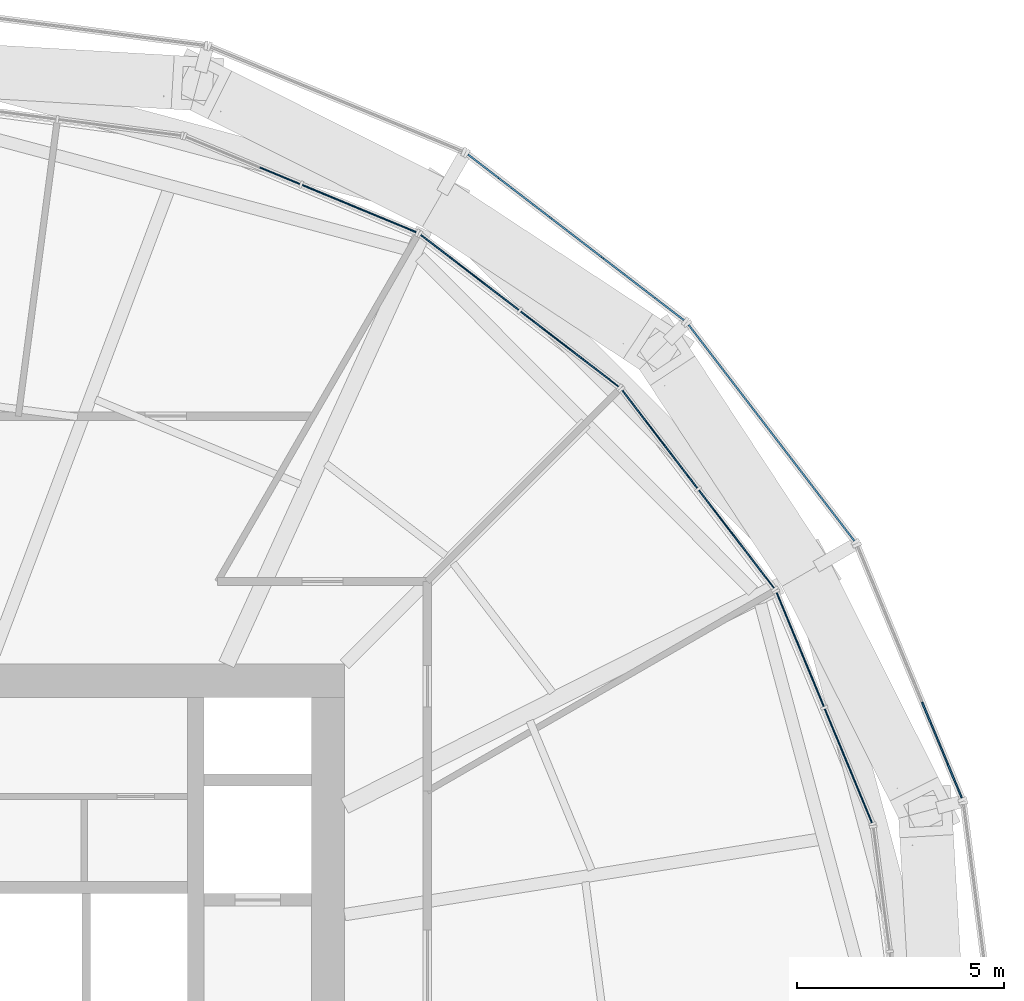
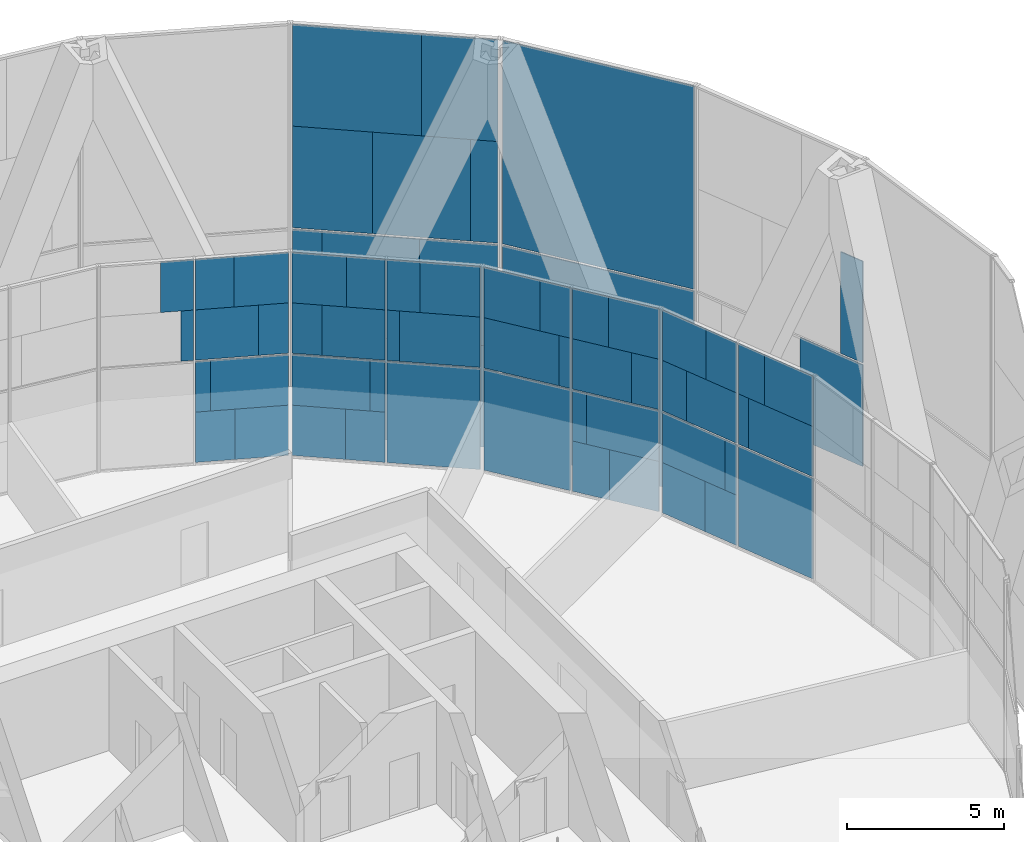
# One storey, part 18 of 22: 63 plates, 7 elements without a shape of their own.
"""IFC4 building model written with IfcOpenShell, lengths in metres."""

from ifc_helpers import new_model, si_unit, direction, frame, origin, origin_2d, place, context, subcontext, project, spatial, rectangle, extrude, material, layer, layer_set, type_object, element, aggregate, save


model = new_model("IFC4")

# Units and contexts
model_context = context("Model", 3, precision=1e-05, world=origin(), true_north=direction((0.0, 1.0)))
body_context = subcontext(model_context, "Body", "Model", "MODEL_VIEW")
ifc_project = project(units=[si_unit("LENGTHUNIT", "METRE"), si_unit("AREAUNIT", "SQUARE_METRE"), si_unit("VOLUMEUNIT", "CUBIC_METRE"), si_unit("PLANEANGLEUNIT", "RADIAN"), si_unit("MASSUNIT", "GRAM", prefix="KILO")], contexts=[model_context])

# Site, building, storey
site_placement = place(None, origin())
site = spatial("IfcSite", under=ifc_project, at=site_placement, CompositionType="ELEMENT")
building_placement = place(site_placement, origin())
building = spatial("IfcBuilding", under=site, at=building_placement, Name="Golbaran Civic Tower", CompositionType="ELEMENT")
storey_placement = place(building_placement, frame((0.0, 0.0, 53.0)))
storey = spatial("IfcBuildingStorey", under=building, at=storey_placement, Name="L12", CompositionType="ELEMENT", Elevation=53.0)

# Curtain wall, plates
ifc_material_1 = material(Name="Aluminium and glass", Category="aluminium")
curtain_wall_type_1 = type_object("IfcCurtainWallType", Name="INNER SKIN CURTAIN WALL", PredefinedType="NOTDEFINED", material=ifc_material_1)
curtain_wall_1_placement = place(storey_placement, origin())
curtain_wall_1 = element("IfcCurtainWall", 1, at=curtain_wall_1_placement, inside=storey, type_object=curtain_wall_type_1, Name="Inner skin L12 facet 2 CW1", ObjectType="INNER SKIN", PredefinedType="USERDEFINED")
ifc_material_2 = material(Name="Clear insulating glass", Category="glass")
ifc_layer_1 = layer(ifc_material_2, 0.031982421875, Name="Clear insulating glass")
ifc_layer_set_1 = layer_set([ifc_layer_1], Name="Clear insulating glass")
plate_type_1 = type_object("IfcPlateType", Name="INNER SKIN CURTAIN WALL GLAZED PANEL", PredefinedType="CURTAIN_PANEL", material=ifc_layer_set_1)
plate_1_placement = place(storey_placement, frame((22.18603515625, 7.541259765625, 0.06494140625), z_axis=(0.0, 0.0, 1.0), x_axis=(-0.382683432413, 0.923879532491, 0.0)))
plate_1 = element("IfcPlate", 2, at=plate_1_placement, type_object=plate_type_1, Name="CW1 panel 1.1", PredefinedType="CURTAIN_PANEL", context=body_context, shape_type="SweptSolid", body=[
    extrude(rectangle(XDim=2.98095703125, YDim=0.031982421875, at=origin_2d()), origin(), (0.0, 0.0, 1.0), 3.902587890625),
])
plate_2_placement = place(storey_placement, frame((22.262939453125, 7.355712890625, 4.032470703125), z_axis=(0.0, 0.0, 1.0), x_axis=(-0.382683432413, 0.923879532491, 0.0)))
plate_2 = element("IfcPlate", 3, at=plate_2_placement, type_object=plate_type_1, Name="CW1 panel 1.2 part 1", PredefinedType="CURTAIN_PANEL", context=body_context, shape_type="SweptSolid", body=[
    extrude(rectangle(XDim=2.5791015625, YDim=0.031982421875, at=origin_2d()), origin(), (0.0, 0.0, 1.0), 1.951171875),
])
plate_3_placement = place(storey_placement, frame((22.385986328125, 7.05859375, 5.98388671875), z_axis=(0.0, 0.0, 1.0), x_axis=(-0.382683432413, 0.923879532491, 0.0)))
plate_3 = element("IfcPlate", 4, at=plate_3_placement, type_object=plate_type_1, Name="CW1 panel 1.2 part 3", PredefinedType="CURTAIN_PANEL", context=body_context, shape_type="SweptSolid", body=[
    extrude(rectangle(XDim=1.93603515625, YDim=0.031982421875, at=origin_2d()), origin(), (0.0, 0.0, 1.0), 1.951171875),
])
plate_4_placement = place(storey_placement, frame((21.34765625, 9.5654296875, 0.06494140625), z_axis=(0.0, 0.0, 1.0), x_axis=(-0.382683432413, 0.923879532491, 0.0)))
plate_4 = element("IfcPlate", 5, at=plate_4_placement, type_object=plate_type_1, Name="CW1 panel 2.1 part 1", PredefinedType="CURTAIN_PANEL", context=body_context, shape_type="SweptSolid", body=[
    extrude(rectangle(XDim=1.27099609375, YDim=0.031982421875, at=origin_2d()), origin(), (0.0, 0.0, 1.0), 1.951171875),
])
plate_5_placement = place(storey_placement, frame((21.497802734375, 9.202880859375, 2.016357421875), z_axis=(0.0, 0.0, 1.0), x_axis=(-0.382683432413, 0.923879532491, 0.0)))
plate_5 = element("IfcPlate", 6, at=plate_5_placement, type_object=plate_type_1, Name="CW1 panel 2.1 part 3", PredefinedType="CURTAIN_PANEL", context=body_context, shape_type="SweptSolid", body=[
    extrude(rectangle(XDim=0.486083984375, YDim=0.031982421875, at=origin_2d()), origin(), (0.0, 0.0, 1.0), 1.951171875),
])
plate_6_placement = place(storey_placement, frame((20.63232421875, 11.292724609375, 4.032470703125), z_axis=(0.0, 0.0, 1.0), x_axis=(-0.382683432413, 0.923879532491, 0.0)))
plate_6 = element("IfcPlate", 7, at=plate_6_placement, type_object=plate_type_1, Name="CW1 panel 2.2 part 2", PredefinedType="CURTAIN_PANEL", context=body_context, shape_type="SweptSolid", body=[
    extrude(rectangle(XDim=0.951904296875, YDim=0.031982421875, at=origin_2d()), origin(), (0.0, 0.0, 1.0), 1.951171875),
])
plate_7_placement = place(storey_placement, frame((20.783203125, 10.92822265625, 5.98388671875), z_axis=(0.0, 0.0, 1.0), x_axis=(-0.382683432413, 0.923879532491, 0.0)))
plate_7 = element("IfcPlate", 8, at=plate_7_placement, type_object=plate_type_1, Name="CW1 panel 2.2 part 4", PredefinedType="CURTAIN_PANEL", context=body_context, shape_type="SweptSolid", body=[
    extrude(rectangle(XDim=1.740966796875, YDim=0.031982421875, at=origin_2d()), origin(), (0.0, 0.0, 1.0), 1.951171875),
])

curtain_wall_2_placement = place(storey_placement, origin())
curtain_wall_2 = element("IfcCurtainWall", 9, at=curtain_wall_2_placement, inside=storey, type_object=curtain_wall_type_1, Name="Inner skin L12 facet 3 CW1", ObjectType="INNER SKIN", PredefinedType="USERDEFINED")
plate_8_placement = place(storey_placement, frame((18.957763671875, 13.704833984375, 0.06494140625), z_axis=(0.0, 0.0, 1.0), x_axis=(-0.608761429036, 0.79335334027, 0.0)))
plate_8 = element("IfcPlate", 10, at=plate_8_placement, type_object=plate_type_1, Name="CW1 panel 1.1 part 2", PredefinedType="CURTAIN_PANEL", context=body_context, shape_type="SweptSolid", body=[
    extrude(rectangle(XDim=1.27099609375, YDim=0.031982421875, at=origin_2d()), origin(), (0.0, 0.0, 1.0), 1.951171875),
])
plate_9_placement = place(storey_placement, frame((18.71875, 14.016357421875, 2.016357421875), z_axis=(0.0, 0.0, 1.0), x_axis=(-0.608761429036, 0.79335334027, 0.0)))
plate_9 = element("IfcPlate", 11, at=plate_9_placement, type_object=plate_type_1, Name="CW1 panel 1.1 part 4", PredefinedType="CURTAIN_PANEL", context=body_context, shape_type="SweptSolid", body=[
    extrude(rectangle(XDim=0.48583984375, YDim=0.031982421875, at=origin_2d()), origin(), (0.0, 0.0, 1.0), 1.951171875),
])
plate_10_placement = place(storey_placement, frame((20.095947265625, 12.2216796875, 4.032470703125), z_axis=(0.0, 0.0, 1.0), x_axis=(-0.608761429036, 0.79335334027, 0.0)))
plate_10 = element("IfcPlate", 12, at=plate_10_placement, type_object=plate_type_1, Name="CW1 panel 1.2 part 1", PredefinedType="CURTAIN_PANEL", context=body_context, shape_type="SweptSolid", body=[
    extrude(rectangle(XDim=0.951904296875, YDim=0.031982421875, at=origin_2d()), origin(), (0.0, 0.0, 1.0), 1.951171875),
])
plate_11_placement = place(storey_placement, frame((19.855712890625, 12.53466796875, 5.98388671875), z_axis=(0.0, 0.0, 1.0), x_axis=(-0.608761429036, 0.79335334027, 0.0)))
plate_11 = element("IfcPlate", 13, at=plate_11_placement, type_object=plate_type_1, Name="CW1 panel 1.2 part 3", PredefinedType="CURTAIN_PANEL", context=body_context, shape_type="SweptSolid", body=[
    extrude(rectangle(XDim=1.740966796875, YDim=0.031982421875, at=origin_2d()), origin(), (0.0, 0.0, 1.0), 1.951171875),
])
plate_12_placement = place(storey_placement, frame((17.6240234375, 15.443115234375, 0.06494140625), z_axis=(0.0, 0.0, 1.0), x_axis=(-0.608761429036, 0.79335334027, 0.0)))
plate_12 = element("IfcPlate", 14, at=plate_12_placement, type_object=plate_type_1, Name="CW1 panel 2.1", PredefinedType="CURTAIN_PANEL", context=body_context, shape_type="SweptSolid", body=[
    extrude(rectangle(XDim=2.98095703125, YDim=0.031982421875, at=origin_2d()), origin(), (0.0, 0.0, 1.0), 3.902587890625),
])
plate_13_placement = place(storey_placement, frame((17.502197265625, 15.601806640625, 4.032470703125), z_axis=(0.0, 0.0, 1.0), x_axis=(-0.608761429036, 0.79335334027, 0.0)))
plate_13 = element("IfcPlate", 15, at=plate_13_placement, type_object=plate_type_1, Name="CW1 panel 2.2 part 2", PredefinedType="CURTAIN_PANEL", context=body_context, shape_type="SweptSolid", body=[
    extrude(rectangle(XDim=2.5810546875, YDim=0.031982421875, at=origin_2d()), origin(), (0.0, 0.0, 1.0), 1.951171875),
])
plate_14_placement = place(storey_placement, frame((17.305908203125, 15.857666015625, 5.98388671875), z_axis=(0.0, 0.0, 1.0), x_axis=(-0.608761429036, 0.79335334027, 0.0)))
plate_14 = element("IfcPlate", 16, at=plate_14_placement, type_object=plate_type_1, Name="CW1 panel 2.2 part 4", PredefinedType="CURTAIN_PANEL", context=body_context, shape_type="SweptSolid", body=[
    extrude(rectangle(XDim=1.93603515625, YDim=0.031982421875, at=origin_2d()), origin(), (0.0, 0.0, 1.0), 1.951171875),
])

curtain_wall_3_placement = place(storey_placement, origin())
curtain_wall_3 = element("IfcCurtainWall", 17, at=curtain_wall_3_placement, inside=storey, type_object=curtain_wall_type_1, Name="Inner skin L12 facet 4 CW1", ObjectType="INNER SKIN", PredefinedType="USERDEFINED")
plate_15_placement = place(storey_placement, frame((15.443115234375, 17.6240234375, 0.06494140625), z_axis=(0.0, 0.0, 1.0), x_axis=(-0.79335334027, 0.608761429036, 0.0)))
plate_15 = element("IfcPlate", 18, at=plate_15_placement, type_object=plate_type_1, Name="CW1 panel 1.1", PredefinedType="CURTAIN_PANEL", context=body_context, shape_type="SweptSolid", body=[
    extrude(rectangle(XDim=2.98095703125, YDim=0.031982421875, at=origin_2d()), origin(), (0.0, 0.0, 1.0), 3.902587890625),
])
plate_16_placement = place(storey_placement, frame((15.6025390625, 17.501708984375, 4.032470703125), z_axis=(0.0, 0.0, 1.0), x_axis=(-0.79335334027, 0.608761429036, 0.0)))
plate_16 = element("IfcPlate", 19, at=plate_16_placement, type_object=plate_type_1, Name="CW1 panel 1.2 part 1", PredefinedType="CURTAIN_PANEL", context=body_context, shape_type="SweptSolid", body=[
    extrude(rectangle(XDim=2.5791015625, YDim=0.031982421875, at=origin_2d()), origin(), (0.0, 0.0, 1.0), 1.951171875),
])
plate_17_placement = place(storey_placement, frame((15.857666015625, 17.305908203125, 5.98388671875), z_axis=(0.0, 0.0, 1.0), x_axis=(-0.79335334027, 0.608761429036, 0.0)))
plate_17 = element("IfcPlate", 20, at=plate_17_placement, type_object=plate_type_1, Name="CW1 panel 1.2 part 3", PredefinedType="CURTAIN_PANEL", context=body_context, shape_type="SweptSolid", body=[
    extrude(rectangle(XDim=1.93603515625, YDim=0.031982421875, at=origin_2d()), origin(), (0.0, 0.0, 1.0), 1.951171875),
])
plate_18_placement = place(storey_placement, frame((13.704833984375, 18.957763671875, 0.06494140625), z_axis=(0.0, 0.0, 1.0), x_axis=(-0.79335334027, 0.608761429036, 0.0)))
plate_18 = element("IfcPlate", 21, at=plate_18_placement, type_object=plate_type_1, Name="CW1 panel 2.1 part 1", PredefinedType="CURTAIN_PANEL", context=body_context, shape_type="SweptSolid", body=[
    extrude(rectangle(XDim=1.27099609375, YDim=0.031982421875, at=origin_2d()), origin(), (0.0, 0.0, 1.0), 1.951171875),
])
plate_19_placement = place(storey_placement, frame((14.016357421875, 18.718994140625, 2.016357421875), z_axis=(0.0, 0.0, 1.0), x_axis=(-0.79335334027, 0.608761429036, 0.0)))
plate_19 = element("IfcPlate", 22, at=plate_19_placement, type_object=plate_type_1, Name="CW1 panel 2.1 part 3", PredefinedType="CURTAIN_PANEL", context=body_context, shape_type="SweptSolid", body=[
    extrude(rectangle(XDim=0.486083984375, YDim=0.031982421875, at=origin_2d()), origin(), (0.0, 0.0, 1.0), 1.951171875),
])
plate_20_placement = place(storey_placement, frame((12.2216796875, 20.095947265625, 4.032470703125), z_axis=(0.0, 0.0, 1.0), x_axis=(-0.79335334027, 0.608761429036, 0.0)))
plate_20 = element("IfcPlate", 23, at=plate_20_placement, type_object=plate_type_1, Name="CW1 panel 2.2 part 2", PredefinedType="CURTAIN_PANEL", context=body_context, shape_type="SweptSolid", body=[
    extrude(rectangle(XDim=0.951904296875, YDim=0.031982421875, at=origin_2d()), origin(), (0.0, 0.0, 1.0), 1.951171875),
])
plate_21_placement = place(storey_placement, frame((12.53466796875, 19.855712890625, 5.98388671875), z_axis=(0.0, 0.0, 1.0), x_axis=(-0.79335334027, 0.608761429036, 0.0)))
plate_21 = element("IfcPlate", 24, at=plate_21_placement, type_object=plate_type_1, Name="CW1 panel 2.2 part 4", PredefinedType="CURTAIN_PANEL", context=body_context, shape_type="SweptSolid", body=[
    extrude(rectangle(XDim=1.740966796875, YDim=0.031982421875, at=origin_2d()), origin(), (0.0, 0.0, 1.0), 1.951171875),
])

curtain_wall_4_placement = place(storey_placement, origin())
curtain_wall_4 = element("IfcCurtainWall", 25, at=curtain_wall_4_placement, inside=storey, type_object=curtain_wall_type_1, Name="Inner skin L12 facet 5 CW1", ObjectType="INNER SKIN", PredefinedType="USERDEFINED")
plate_22_placement = place(storey_placement, frame((9.5654296875, 21.34765625, 0.06494140625), z_axis=(0.0, 0.0, 1.0), x_axis=(-0.923879532491, 0.382683432413, 0.0)))
plate_22 = element("IfcPlate", 26, at=plate_22_placement, type_object=plate_type_1, Name="CW1 panel 1.1 part 2", PredefinedType="CURTAIN_PANEL", context=body_context, shape_type="SweptSolid", body=[
    extrude(rectangle(XDim=1.27099609375, YDim=0.031982421875, at=origin_2d()), origin(), (0.0, 0.0, 1.0), 1.951171875),
])
plate_23_placement = place(storey_placement, frame((9.202880859375, 21.497802734375, 2.016357421875), z_axis=(0.0, 0.0, 1.0), x_axis=(-0.923879532491, 0.382683432413, 0.0)))
plate_23 = element("IfcPlate", 27, at=plate_23_placement, type_object=plate_type_1, Name="CW1 panel 1.1 part 4", PredefinedType="CURTAIN_PANEL", context=body_context, shape_type="SweptSolid", body=[
    extrude(rectangle(XDim=0.48583984375, YDim=0.031982421875, at=origin_2d()), origin(), (0.0, 0.0, 1.0), 1.951171875),
])
plate_24_placement = place(storey_placement, frame((11.292724609375, 20.63232421875, 4.032470703125), z_axis=(0.0, 0.0, 1.0), x_axis=(-0.923879532491, 0.382683432413, 0.0)))
plate_24 = element("IfcPlate", 28, at=plate_24_placement, type_object=plate_type_1, Name="CW1 panel 1.2 part 1", PredefinedType="CURTAIN_PANEL", context=body_context, shape_type="SweptSolid", body=[
    extrude(rectangle(XDim=0.951904296875, YDim=0.031982421875, at=origin_2d()), origin(), (0.0, 0.0, 1.0), 1.951171875),
])
plate_25_placement = place(storey_placement, frame((10.92822265625, 20.783203125, 5.98388671875), z_axis=(0.0, 0.0, 1.0), x_axis=(-0.923879532491, 0.382683432413, 0.0)))
plate_25 = element("IfcPlate", 29, at=plate_25_placement, type_object=plate_type_1, Name="CW1 panel 1.2 part 3", PredefinedType="CURTAIN_PANEL", context=body_context, shape_type="SweptSolid", body=[
    extrude(rectangle(XDim=1.740966796875, YDim=0.031982421875, at=origin_2d()), origin(), (0.0, 0.0, 1.0), 1.951171875),
])

# Plate
ifc_material_3 = material(Name="Aluminium faced opaque infill panel", Category="aluminium")
ifc_layer_2 = layer(ifc_material_3, 0.031982421875, Name="Aluminium faced opaque infill panel")
ifc_layer_set_2 = layer_set([ifc_layer_2], Name="Aluminium faced opaque infill panel")
plate_type_2 = type_object("IfcPlateType", Name="INNER SKIN CURTAIN WALL OPAQUE INFILL PANEL", PredefinedType="CURTAIN_PANEL", material=ifc_layer_set_2)
plate_26_placement = place(storey_placement, frame((21.692626953125, 8.732666015625, 4.032470703125), z_axis=(0.0, 0.0, 1.0), x_axis=(-0.382683432413, 0.923879532491, 0.0)))
plate_26 = element("IfcPlate", 30, at=plate_26_placement, type_object=plate_type_2, Name="CW1 infill panel 1.2 part 2", PredefinedType="CURTAIN_PANEL", context=body_context, shape_type="SweptSolid", body=[
    extrude(rectangle(XDim=0.40185546875, YDim=0.031982421875, at=origin_2d()), origin(), (0.0, 0.0, 1.0), 1.951171875),
])

plate_27_placement = place(storey_placement, frame((21.815673828125, 8.435546875, 5.98388671875), z_axis=(0.0, 0.0, 1.0), x_axis=(-0.382683432413, 0.923879532491, 0.0)))
plate_27 = element("IfcPlate", 31, at=plate_27_placement, type_object=plate_type_2, Name="CW1 infill panel 1.2 part 4", PredefinedType="CURTAIN_PANEL", context=body_context, shape_type="SweptSolid", body=[
    extrude(rectangle(XDim=1.044921875, YDim=0.031982421875, at=origin_2d()), origin(), (0.0, 0.0, 1.0), 1.951171875),
])

plate_28_placement = place(storey_placement, frame((20.77734375, 10.942626953125, 0.06494140625), z_axis=(0.0, 0.0, 1.0), x_axis=(-0.382683432413, 0.923879532491, 0.0)))
plate_28 = element("IfcPlate", 32, at=plate_28_placement, type_object=plate_type_2, Name="CW1 infill panel 2.1 part 2", PredefinedType="CURTAIN_PANEL", context=body_context, shape_type="SweptSolid", body=[
    extrude(rectangle(XDim=1.7099609375, YDim=0.031982421875, at=origin_2d()), origin(), (0.0, 0.0, 1.0), 1.951171875),
])

plate_29_placement = place(storey_placement, frame((20.927490234375, 10.579833984375, 2.016357421875), z_axis=(0.0, 0.0, 1.0), x_axis=(-0.382683432413, 0.923879532491, 0.0)))
plate_29 = element("IfcPlate", 33, at=plate_29_placement, type_object=plate_type_2, Name="CW1 infill panel 2.1 part 4", PredefinedType="CURTAIN_PANEL", context=body_context, shape_type="SweptSolid", body=[
    extrude(rectangle(XDim=2.494873046875, YDim=0.031982421875, at=origin_2d()), origin(), (0.0, 0.0, 1.0), 1.951171875),
])

plate_30_placement = place(storey_placement, frame((21.20263671875, 9.915771484375, 4.032470703125), z_axis=(0.0, 0.0, 1.0), x_axis=(-0.382683432413, 0.923879532491, 0.0)))
plate_30 = element("IfcPlate", 34, at=plate_30_placement, type_object=plate_type_2, Name="CW1 infill panel 2.2 part 1", PredefinedType="CURTAIN_PANEL", context=body_context, shape_type="SweptSolid", body=[
    extrude(rectangle(XDim=2.029052734375, YDim=0.031982421875, at=origin_2d()), origin(), (0.0, 0.0, 1.0), 1.951171875),
])

plate_31_placement = place(storey_placement, frame((21.353515625, 9.55126953125, 5.98388671875), z_axis=(0.0, 0.0, 1.0), x_axis=(-0.382683432413, 0.923879532491, 0.0)))
plate_31 = element("IfcPlate", 35, at=plate_31_placement, type_object=plate_type_2, Name="CW1 infill panel 2.2 part 3", PredefinedType="CURTAIN_PANEL", context=body_context, shape_type="SweptSolid", body=[
    extrude(rectangle(XDim=1.239990234375, YDim=0.031982421875, at=origin_2d()), origin(), (0.0, 0.0, 1.0), 1.951171875),
])

aggregate(curtain_wall_1, [plate_1, plate_2, plate_26, plate_3, plate_27, plate_4, plate_28, plate_5, plate_29, plate_30, plate_6, plate_31, plate_7])

plate_32_placement = place(storey_placement, frame((19.865234375, 12.5224609375, 0.06494140625), z_axis=(0.0, 0.0, 1.0), x_axis=(-0.608761429036, 0.79335334027, 0.0)))
plate_32 = element("IfcPlate", 36, at=plate_32_placement, type_object=plate_type_2, Name="CW1 infill panel 1.1 part 1", PredefinedType="CURTAIN_PANEL", context=body_context, shape_type="SweptSolid", body=[
    extrude(rectangle(XDim=1.7099609375, YDim=0.031982421875, at=origin_2d()), origin(), (0.0, 0.0, 1.0), 1.951171875),
])

plate_33_placement = place(storey_placement, frame((19.626220703125, 12.833740234375, 2.016357421875), z_axis=(0.0, 0.0, 1.0), x_axis=(-0.608761429036, 0.79335334027, 0.0)))
plate_33 = element("IfcPlate", 37, at=plate_33_placement, type_object=plate_type_2, Name="CW1 infill panel 1.1 part 3", PredefinedType="CURTAIN_PANEL", context=body_context, shape_type="SweptSolid", body=[
    extrude(rectangle(XDim=2.4951171875, YDim=0.031982421875, at=origin_2d()), origin(), (0.0, 0.0, 1.0), 1.951171875),
])

plate_34_placement = place(storey_placement, frame((19.1884765625, 13.404296875, 4.032470703125), z_axis=(0.0, 0.0, 1.0), x_axis=(-0.608761429036, 0.79335334027, 0.0)))
plate_34 = element("IfcPlate", 38, at=plate_34_placement, type_object=plate_type_2, Name="CW1 infill panel 1.2 part 2", PredefinedType="CURTAIN_PANEL", context=body_context, shape_type="SweptSolid", body=[
    extrude(rectangle(XDim=2.029052734375, YDim=0.031982421875, at=origin_2d()), origin(), (0.0, 0.0, 1.0), 1.951171875),
])

plate_35_placement = place(storey_placement, frame((18.948486328125, 13.717041015625, 5.98388671875), z_axis=(0.0, 0.0, 1.0), x_axis=(-0.608761429036, 0.79335334027, 0.0)))
plate_35 = element("IfcPlate", 39, at=plate_35_placement, type_object=plate_type_2, Name="CW1 infill panel 1.2 part 4", PredefinedType="CURTAIN_PANEL", context=body_context, shape_type="SweptSolid", body=[
    extrude(rectangle(XDim=1.239990234375, YDim=0.031982421875, at=origin_2d()), origin(), (0.0, 0.0, 1.0), 1.951171875),
])

plate_36_placement = place(storey_placement, frame((18.40966796875, 14.419189453125, 4.032470703125), z_axis=(0.0, 0.0, 1.0), x_axis=(-0.608761429036, 0.79335334027, 0.0)))
plate_36 = element("IfcPlate", 40, at=plate_36_placement, type_object=plate_type_2, Name="CW1 infill panel 2.2 part 1", PredefinedType="CURTAIN_PANEL", context=body_context, shape_type="SweptSolid", body=[
    extrude(rectangle(XDim=0.39990234375, YDim=0.031982421875, at=origin_2d()), origin(), (0.0, 0.0, 1.0), 1.951171875),
])

plate_37_placement = place(storey_placement, frame((18.21337890625, 14.675048828125, 5.98388671875), z_axis=(0.0, 0.0, 1.0), x_axis=(-0.608761429036, 0.79335334027, 0.0)))
plate_37 = element("IfcPlate", 41, at=plate_37_placement, type_object=plate_type_2, Name="CW1 infill panel 2.2 part 3", PredefinedType="CURTAIN_PANEL", context=body_context, shape_type="SweptSolid", body=[
    extrude(rectangle(XDim=1.044921875, YDim=0.031982421875, at=origin_2d()), origin(), (0.0, 0.0, 1.0), 1.951171875),
])

aggregate(curtain_wall_2, [plate_32, plate_8, plate_33, plate_9, plate_10, plate_34, plate_11, plate_35, plate_12, plate_36, plate_13, plate_37, plate_14])

plate_38_placement = place(storey_placement, frame((14.419921875, 18.408935546875, 4.032470703125), z_axis=(0.0, 0.0, 1.0), x_axis=(-0.79335334027, 0.608761429036, 0.0)))
plate_38 = element("IfcPlate", 42, at=plate_38_placement, type_object=plate_type_2, Name="CW1 infill panel 1.2 part 2", PredefinedType="CURTAIN_PANEL", context=body_context, shape_type="SweptSolid", body=[
    extrude(rectangle(XDim=0.40185546875, YDim=0.031982421875, at=origin_2d()), origin(), (0.0, 0.0, 1.0), 1.951171875),
])

plate_39_placement = place(storey_placement, frame((14.675048828125, 18.21337890625, 5.98388671875), z_axis=(0.0, 0.0, 1.0), x_axis=(-0.79335334027, 0.608761429036, 0.0)))
plate_39 = element("IfcPlate", 43, at=plate_39_placement, type_object=plate_type_2, Name="CW1 infill panel 1.2 part 4", PredefinedType="CURTAIN_PANEL", context=body_context, shape_type="SweptSolid", body=[
    extrude(rectangle(XDim=1.044921875, YDim=0.031982421875, at=origin_2d()), origin(), (0.0, 0.0, 1.0), 1.951171875),
])

plate_40_placement = place(storey_placement, frame((12.5224609375, 19.865234375, 0.06494140625), z_axis=(0.0, 0.0, 1.0), x_axis=(-0.79335334027, 0.608761429036, 0.0)))
plate_40 = element("IfcPlate", 44, at=plate_40_placement, type_object=plate_type_2, Name="CW1 infill panel 2.1 part 2", PredefinedType="CURTAIN_PANEL", context=body_context, shape_type="SweptSolid", body=[
    extrude(rectangle(XDim=1.7099609375, YDim=0.031982421875, at=origin_2d()), origin(), (0.0, 0.0, 1.0), 1.951171875),
])

plate_41_placement = place(storey_placement, frame((12.833740234375, 19.626220703125, 2.016357421875), z_axis=(0.0, 0.0, 1.0), x_axis=(-0.79335334027, 0.608761429036, 0.0)))
plate_41 = element("IfcPlate", 45, at=plate_41_placement, type_object=plate_type_2, Name="CW1 infill panel 2.1 part 4", PredefinedType="CURTAIN_PANEL", context=body_context, shape_type="SweptSolid", body=[
    extrude(rectangle(XDim=2.494873046875, YDim=0.031982421875, at=origin_2d()), origin(), (0.0, 0.0, 1.0), 1.951171875),
])

plate_42_placement = place(storey_placement, frame((13.404052734375, 19.1884765625, 4.032470703125), z_axis=(0.0, 0.0, 1.0), x_axis=(-0.79335334027, 0.608761429036, 0.0)))
plate_42 = element("IfcPlate", 46, at=plate_42_placement, type_object=plate_type_2, Name="CW1 infill panel 2.2 part 1", PredefinedType="CURTAIN_PANEL", context=body_context, shape_type="SweptSolid", body=[
    extrude(rectangle(XDim=2.029052734375, YDim=0.031982421875, at=origin_2d()), origin(), (0.0, 0.0, 1.0), 1.951171875),
])

plate_43_placement = place(storey_placement, frame((13.717041015625, 18.948486328125, 5.98388671875), z_axis=(0.0, 0.0, 1.0), x_axis=(-0.79335334027, 0.608761429036, 0.0)))
plate_43 = element("IfcPlate", 47, at=plate_43_placement, type_object=plate_type_2, Name="CW1 infill panel 2.2 part 3", PredefinedType="CURTAIN_PANEL", context=body_context, shape_type="SweptSolid", body=[
    extrude(rectangle(XDim=1.239990234375, YDim=0.031982421875, at=origin_2d()), origin(), (0.0, 0.0, 1.0), 1.951171875),
])

aggregate(curtain_wall_3, [plate_15, plate_16, plate_38, plate_17, plate_39, plate_18, plate_40, plate_19, plate_41, plate_42, plate_20, plate_43, plate_21])

plate_44_placement = place(storey_placement, frame((10.942626953125, 20.77734375, 0.06494140625), z_axis=(0.0, 0.0, 1.0), x_axis=(-0.923879532491, 0.382683432413, 0.0)))
plate_44 = element("IfcPlate", 48, at=plate_44_placement, type_object=plate_type_2, Name="CW1 infill panel 1.1 part 1", PredefinedType="CURTAIN_PANEL", context=body_context, shape_type="SweptSolid", body=[
    extrude(rectangle(XDim=1.7099609375, YDim=0.031982421875, at=origin_2d()), origin(), (0.0, 0.0, 1.0), 1.951171875),
])

plate_45_placement = place(storey_placement, frame((10.579833984375, 20.927490234375, 2.016357421875), z_axis=(0.0, 0.0, 1.0), x_axis=(-0.923879532491, 0.382683432413, 0.0)))
plate_45 = element("IfcPlate", 49, at=plate_45_placement, type_object=plate_type_2, Name="CW1 infill panel 1.1 part 3", PredefinedType="CURTAIN_PANEL", context=body_context, shape_type="SweptSolid", body=[
    extrude(rectangle(XDim=2.4951171875, YDim=0.031982421875, at=origin_2d()), origin(), (0.0, 0.0, 1.0), 1.951171875),
])

plate_46_placement = place(storey_placement, frame((9.915771484375, 21.20263671875, 4.032470703125), z_axis=(0.0, 0.0, 1.0), x_axis=(-0.923879532491, 0.382683432413, 0.0)))
plate_46 = element("IfcPlate", 50, at=plate_46_placement, type_object=plate_type_2, Name="CW1 infill panel 1.2 part 2", PredefinedType="CURTAIN_PANEL", context=body_context, shape_type="SweptSolid", body=[
    extrude(rectangle(XDim=2.029052734375, YDim=0.031982421875, at=origin_2d()), origin(), (0.0, 0.0, 1.0), 1.951171875),
])

plate_47_placement = place(storey_placement, frame((9.55126953125, 21.353515625, 5.98388671875), z_axis=(0.0, 0.0, 1.0), x_axis=(-0.923879532491, 0.382683432413, 0.0)))
plate_47 = element("IfcPlate", 51, at=plate_47_placement, type_object=plate_type_2, Name="CW1 infill panel 1.2 part 4", PredefinedType="CURTAIN_PANEL", context=body_context, shape_type="SweptSolid", body=[
    extrude(rectangle(XDim=1.239990234375, YDim=0.031982421875, at=origin_2d()), origin(), (0.0, 0.0, 1.0), 1.951171875),
])

plate_48_placement = place(storey_placement, frame((8.733642578125, 21.692138671875, 4.032470703125), z_axis=(0.0, 0.0, 1.0), x_axis=(-0.923879532491, 0.382683432413, 0.0)))
plate_48 = element("IfcPlate", 52, at=plate_48_placement, type_object=plate_type_2, Name="CW1 infill panel 2.2 part 1", PredefinedType="CURTAIN_PANEL", context=body_context, shape_type="SweptSolid", body=[
    extrude(rectangle(XDim=0.39990234375, YDim=0.031982421875, at=origin_2d()), origin(), (0.0, 0.0, 1.0), 1.951171875),
])

plate_49_placement = place(storey_placement, frame((8.435546875, 21.815673828125, 5.98388671875), z_axis=(0.0, 0.0, 1.0), x_axis=(-0.923879532491, 0.382683432413, 0.0)))
plate_49 = element("IfcPlate", 53, at=plate_49_placement, type_object=plate_type_2, Name="CW1 infill panel 2.2 part 3", PredefinedType="CURTAIN_PANEL", context=body_context, shape_type="SweptSolid", body=[
    extrude(rectangle(XDim=1.044921875, YDim=0.031982421875, at=origin_2d()), origin(), (0.0, 0.0, 1.0), 1.951171875),
])

aggregate(curtain_wall_4, [plate_44, plate_22, plate_45, plate_23, plate_24, plate_46, plate_25, plate_47, plate_48, plate_49])

# Curtain wall, plates
curtain_wall_type_2 = type_object("IfcCurtainWallType", Name="OUTER SKIN TERRACOTTA SCREEN", PredefinedType="NOTDEFINED", material=ifc_material_1)
curtain_wall_5_placement = place(storey_placement, origin())
curtain_wall_5 = element("IfcCurtainWall", 54, at=curtain_wall_5_placement, inside=storey, type_object=curtain_wall_type_2, Name="Outer skin L12 facet 2 CW3", ObjectType="OUTER SKIN", PredefinedType="USERDEFINED")
ifc_material_4 = material(Name="Clear laminated glass", Category="glass")
ifc_layer_3 = layer(ifc_material_4, 0.0400390625, Name="Clear laminated glass")
ifc_layer_set_3 = layer_set([ifc_layer_3], Name="Clear laminated glass")
plate_type_3 = type_object("IfcPlateType", Name="OUTER SKIN CLEAR GLASS PANEL", PredefinedType="CURTAIN_PANEL", material=ifc_layer_set_3)
plate_50_placement = place(storey_placement, frame((24.449462890625, 7.921875, 3.31005859375), z_axis=(0.0, 0.0, 1.0), x_axis=(-0.382683432349, 0.923879532518, 0.0)))
plate_50 = element("IfcPlate", 55, at=plate_50_placement, type_object=plate_type_3, Name="CW3 panel 1.1 part 3", PredefinedType="CURTAIN_PANEL", context=body_context, shape_type="SweptSolid", body=[
    extrude(rectangle(XDim=2.510986328125, YDim=0.0400390625, at=origin_2d()), origin(), (0.0, 0.0, 1.0), 3.93994140625),
])
plate_51_placement = place(storey_placement, frame((24.76025390625, 7.17138671875, 7.330078125), z_axis=(0.0, 0.0, 1.0), x_axis=(-0.382683432349, 0.923879532518, 0.0)))
plate_51 = element("IfcPlate", 56, at=plate_51_placement, type_object=plate_type_3, Name="CW3 panel 1.2 part 1", PredefinedType="CURTAIN_PANEL", context=body_context, shape_type="SweptSolid", body=[
    extrude(rectangle(XDim=0.885986328125, YDim=0.0400390625, at=origin_2d()), origin(), (0.0, 0.0, 1.0), 3.93994140625),
])
aggregate(curtain_wall_5, [plate_50, plate_51])

curtain_wall_6_placement = place(storey_placement, origin())
curtain_wall_6 = element("IfcCurtainWall", 57, at=curtain_wall_6_placement, inside=storey, type_object=curtain_wall_type_2, Name="Outer skin L12 facet 4 CW3", ObjectType="OUTER SKIN", PredefinedType="USERDEFINED")
plate_52_placement = place(storey_placement, frame((16.58056640625, 19.570556640625, -0.6298828125), z_axis=(0.0, 0.0, 1.0), x_axis=(-0.793353340355, 0.608761428926, 0.0)))
plate_52 = element("IfcPlate", 58, at=plate_52_placement, type_object=plate_type_3, Name="CW3 panel 1.1 part 1", PredefinedType="CURTAIN_PANEL", context=body_context, shape_type="SweptSolid", body=[
    extrude(rectangle(XDim=4.10498046875, YDim=0.0400390625, at=origin_2d()), origin(), (0.0, 0.0, 1.0), 3.93994140625),
])
plate_53_placement = place(storey_placement, frame((17.212890625, 19.08544921875, 3.31005859375), z_axis=(0.0, 0.0, 1.0), x_axis=(-0.793353340355, 0.608761428926, 0.0)))
plate_53 = element("IfcPlate", 59, at=plate_53_placement, type_object=plate_type_3, Name="CW3 panel 1.1 part 3", PredefinedType="CURTAIN_PANEL", context=body_context, shape_type="SweptSolid", body=[
    extrude(rectangle(XDim=2.510986328125, YDim=0.0400390625, at=origin_2d()), origin(), (0.0, 0.0, 1.0), 3.93994140625),
])
plate_54_placement = place(storey_placement, frame((13.355224609375, 22.04541015625, 3.31005859375), z_axis=(0.0, 0.0, 1.0), x_axis=(-0.793353340355, 0.608761428926, 0.0)))
plate_54 = element("IfcPlate", 60, at=plate_54_placement, type_object=plate_type_3, Name="CW3 panel 1.1 part 5", PredefinedType="CURTAIN_PANEL", context=body_context, shape_type="SweptSolid", body=[
    extrude(rectangle(XDim=0.935791015625, YDim=0.0400390625, at=origin_2d()), origin(), (0.0, 0.0, 1.0), 3.93994140625),
])
plate_55_placement = place(storey_placement, frame((17.857421875, 18.5908203125, 7.330078125), z_axis=(0.0, 0.0, 1.0), x_axis=(-0.793353340355, 0.608761428926, 0.0)))
plate_55 = element("IfcPlate", 61, at=plate_55_placement, type_object=plate_type_3, Name="CW3 panel 1.2 part 1", PredefinedType="CURTAIN_PANEL", context=body_context, shape_type="SweptSolid", body=[
    extrude(rectangle(XDim=0.885986328125, YDim=0.0400390625, at=origin_2d()), origin(), (0.0, 0.0, 1.0), 3.93994140625),
])
plate_56_placement = place(storey_placement, frame((13.99658203125, 21.55322265625, 7.330078125), z_axis=(0.0, 0.0, 1.0), x_axis=(-0.793353340355, 0.608761428926, 0.0)))
plate_56 = element("IfcPlate", 62, at=plate_56_placement, type_object=plate_type_3, Name="CW3 panel 1.2 part 3", PredefinedType="CURTAIN_PANEL", context=body_context, shape_type="SweptSolid", body=[
    extrude(rectangle(XDim=2.552734375, YDim=0.0400390625, at=origin_2d()), origin(), (0.0, 0.0, 1.0), 3.93994140625),
])
plate_57_placement = place(storey_placement, frame((14.625244140625, 21.07080078125, 11.27001953125), z_axis=(0.0, 0.0, 1.0), x_axis=(-0.793353340355, 0.608761428926, 0.0)))
plate_57 = element("IfcPlate", 63, at=plate_57_placement, type_object=plate_type_3, Name="CW3 panel 1.2 part 5", PredefinedType="CURTAIN_PANEL", context=body_context, shape_type="SweptSolid", body=[
    extrude(rectangle(XDim=4.137939453125, YDim=0.0400390625, at=origin_2d()), origin(), (0.0, 0.0, 1.0), 3.93994140625),
])
ifc_material_5 = material(Name="Terracotta baguette screen", Category="masonry")
ifc_layer_4 = layer(ifc_material_5, 0.0400390625, Name="Terracotta baguette screen")
ifc_layer_set_4 = layer_set([ifc_layer_4], Name="Terracotta baguette screen")
plate_type_4 = type_object("IfcPlateType", Name="OUTER SKIN TERRACOTTA INFILL PANEL", PredefinedType="CURTAIN_PANEL", material=ifc_layer_set_4)
plate_58_placement = place(storey_placement, frame((13.968017578125, 21.5751953125, -0.6298828125), z_axis=(0.0, 0.0, 1.0), x_axis=(-0.793353340355, 0.608761428926, 0.0)))
plate_58 = element("IfcPlate", 64, at=plate_58_placement, type_object=plate_type_4, Name="CW3 infill panel 1.1 part 2", PredefinedType="CURTAIN_PANEL", context=body_context, shape_type="SweptSolid", body=[
    extrude(rectangle(XDim=2.48095703125, YDim=0.0400390625, at=origin_2d()), origin(), (0.0, 0.0, 1.0), 3.93994140625),
])
plate_59_placement = place(storey_placement, frame((14.9716796875, 20.80517578125, 3.31005859375), z_axis=(0.0, 0.0, 1.0), x_axis=(-0.793353340355, 0.608761428926, 0.0)))
plate_59 = element("IfcPlate", 65, at=plate_59_placement, type_object=plate_type_4, Name="CW3 infill panel 1.1 part 4", PredefinedType="CURTAIN_PANEL", context=body_context, shape_type="SweptSolid", body=[
    extrude(rectangle(XDim=3.138916015625, YDim=0.0400390625, at=origin_2d()), origin(), (0.0, 0.0, 1.0), 3.93994140625),
])
plate_60_placement = place(storey_placement, frame((16.257568359375, 19.818359375, 7.330078125), z_axis=(0.0, 0.0, 1.0), x_axis=(-0.793353340355, 0.608761428926, 0.0)))
plate_60 = element("IfcPlate", 66, at=plate_60_placement, type_object=plate_type_4, Name="CW3 infill panel 1.2 part 2", PredefinedType="CURTAIN_PANEL", context=body_context, shape_type="SweptSolid", body=[
    extrude(rectangle(XDim=3.14697265625, YDim=0.0400390625, at=origin_2d()), origin(), (0.0, 0.0, 1.0), 3.93994140625),
])
plate_61_placement = place(storey_placement, frame((17.23779296875, 19.066162109375, 11.27001953125), z_axis=(0.0, 0.0, 1.0), x_axis=(-0.793353340355, 0.608761428926, 0.0)))
plate_61 = element("IfcPlate", 67, at=plate_61_placement, type_object=plate_type_4, Name="CW3 infill panel 1.2 part 4", PredefinedType="CURTAIN_PANEL", context=body_context, shape_type="SweptSolid", body=[
    extrude(rectangle(XDim=2.447998046875, YDim=0.0400390625, at=origin_2d()), origin(), (0.0, 0.0, 1.0), 3.93994140625),
])
aggregate(curtain_wall_6, [plate_52, plate_58, plate_53, plate_59, plate_54, plate_55, plate_60, plate_56, plate_61, plate_57])

curtain_wall_7_placement = place(storey_placement, origin())
curtain_wall_7 = element("IfcCurtainWall", 68, at=curtain_wall_7_placement, inside=storey, type_object=curtain_wall_type_2, Name="Outer skin L12 facet 3 CW3", ObjectType="OUTER SKIN", PredefinedType="USERDEFINED")
ifc_layer_5 = layer(ifc_material_5, 0.0400390625, Name="Terracotta baguette screen")
ifc_layer_set_5 = layer_set([ifc_layer_5], Name="Terracotta baguette screen")
plate_type_5 = type_object("IfcPlateType", Name="OUTER SKIN TERRACOTTA SCREEN PANEL", PredefinedType="CURTAIN_PANEL", material=ifc_layer_set_5)
plate_62_placement = place(storey_placement, frame((20.32568359375, 15.596435546875, -0.6298828125), z_axis=(0.0, 0.0, 1.0), x_axis=(-0.608761428926, 0.793353340355, 0.0)))
plate_62 = element("IfcPlate", 69, at=plate_62_placement, type_object=plate_type_5, Name="CW3 terracotta screen panel 1.1", PredefinedType="CURTAIN_PANEL", context=body_context, shape_type="SweptSolid", body=[
    extrude(rectangle(XDim=6.5859375, YDim=0.0400390625, at=origin_2d()), origin(), (0.0, 0.0, 1.0), 7.8798828125),
])
plate_63_placement = place(storey_placement, frame((20.32568359375, 15.596435546875, 7.330078125), z_axis=(0.0, 0.0, 1.0), x_axis=(-0.608761428926, 0.793353340355, 0.0)))
plate_63 = element("IfcPlate", 70, at=plate_63_placement, type_object=plate_type_5, Name="CW3 terracotta screen panel 1.2", PredefinedType="CURTAIN_PANEL", context=body_context, shape_type="SweptSolid", body=[
    extrude(rectangle(XDim=6.5859375, YDim=0.0400390625, at=origin_2d()), origin(), (0.0, 0.0, 1.0), 7.8798828125),
])
aggregate(curtain_wall_7, [plate_62, plate_63])

save(model, "model.ifc")
